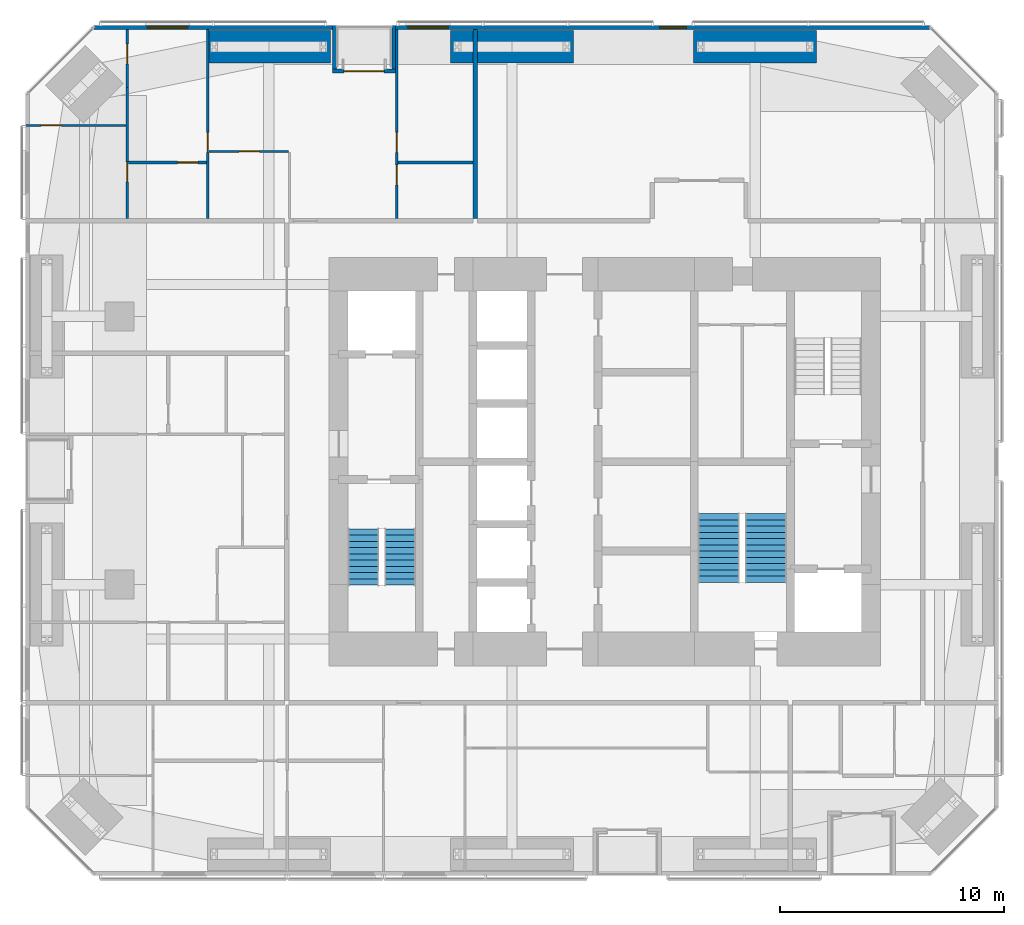
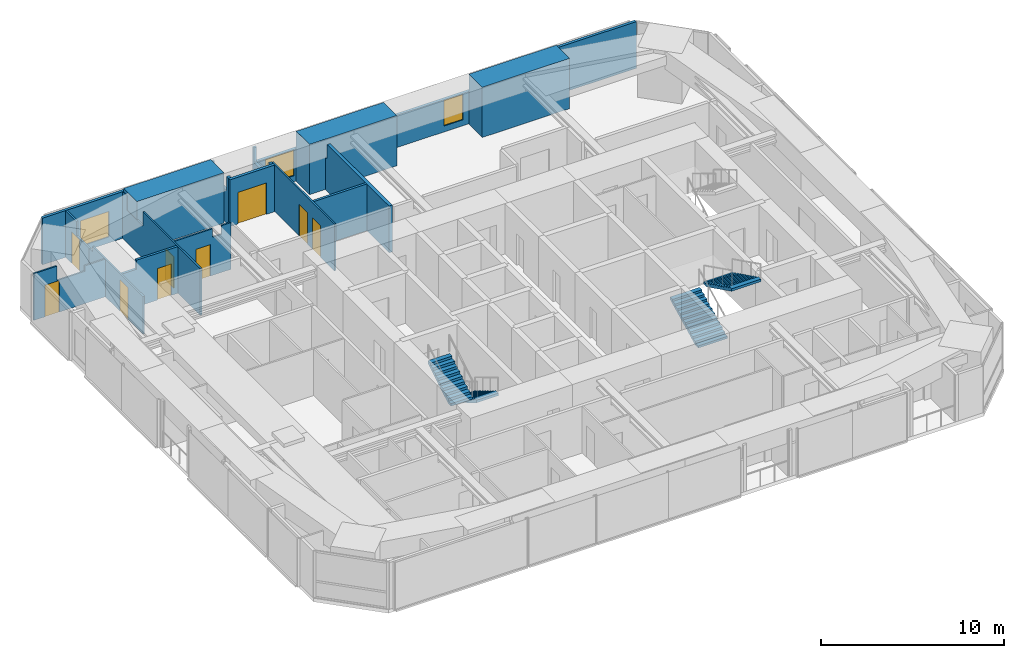
# One storey, part 22 of 24: 17 walls, 9 doors, 4 stair flights, 3 windows, 12 openings, 2 elements without a shape of their own.
"""IFC4 building model written with IfcOpenShell, lengths in metres."""

from ifc_helpers import new_model, si_unit, direction, frame, frame_2d, origin, place, context, subcontext, project, spatial, polyline, rectangle, outline, extrude, material, layer, layer_set, constituent, constituent_set, type_object, element, fill, aggregate, save


model = new_model("IFC4")

# Units and contexts
model_context = context("Model", 3, precision=1e-05, world=origin(), true_north=direction((0.0, 1.0)))
body_context = subcontext(model_context, "Body", "Model", "MODEL_VIEW")
ifc_project = project(units=[si_unit("LENGTHUNIT", "METRE"), si_unit("AREAUNIT", "SQUARE_METRE"), si_unit("VOLUMEUNIT", "CUBIC_METRE"), si_unit("PLANEANGLEUNIT", "RADIAN"), si_unit("MASSUNIT", "GRAM", prefix="KILO")], contexts=[model_context])

# Site, building, storey
site_placement = place(None, origin())
site = spatial("IfcSite", under=ifc_project, at=site_placement, CompositionType="ELEMENT")
building_placement = place(site_placement, origin())
building = spatial("IfcBuilding", under=site, at=building_placement, Name="Jalousie Tower", CompositionType="ELEMENT")
storey_placement = place(building_placement, frame((0.0, 0.0, 135.0)))
storey = spatial("IfcBuildingStorey", under=building, at=storey_placement, Name="L37", CompositionType="ELEMENT", Elevation=135.0)

# Wall, opening, door
ifc_material_1 = material(Name="Concrete block ASTM C90", Category="concrete")
ifc_constituent_1 = constituent(ifc_material_1, Name="Body")
ifc_material_2 = material(Name="Render")
ifc_constituent_2 = constituent(ifc_material_2, Name="Finish")
ifc_constituent_set_1 = constituent_set(constituents=[ifc_constituent_1, ifc_constituent_2])
wall_type_1 = type_object("IfcWallType", Name="BATHROOM WALL 150", PredefinedType="PLUMBINGWALL", material=ifc_constituent_set_1)
wall_1_placement = place(storey_placement, frame((10.60009765625, 31.875, 0.0), z_axis=(0.0, 0.0, 1.0), x_axis=(1.0, 0.0, 0.0)))
wall_1 = element("IfcWall", 1, at=wall_1_placement, inside=storey, type_object=wall_type_1, Name="Bathroom Wall 150 L37", PredefinedType="PLUMBINGWALL", context=body_context, shape_type="SweptSolid", body=[
    extrude(outline(polyline([(0.0, 0.0), (3.5, 0.0), (3.5, 3.110107421875), (0.885009765625, 3.110107421875), (0.885009765625, 2.510009765625), (0.0, 2.510009765625), (0.0, 3.110107421875), (0.0, 0.0)])), frame((0.0, 0.074951171875, 0.0), z_axis=(0.0, -1.0, 0.0), x_axis=(1.0, 0.0, 0.0)), (0.0, 0.0, 1.0), 0.14990234375),
])
opening_1_placement = place(wall_1_placement, frame((2.199951171875, 0.0, 0.0)))
opening_1 = element("IfcOpeningElement", 2, at=opening_1_placement, cuts=wall_1, Name="Opening D3", PredefinedType="OPENING", context=body_context, shape_type="SweptSolid", body=[
    extrude(rectangle(XDim=0.89990234375, YDim=2.10009765625, at=frame_2d((0.449951171875, 1.050048828125))), frame((0.0, 0.0849609375, 0.0), z_axis=(0.0, -1.0, 0.0), x_axis=(1.0, 0.0, 0.0)), (0.0, 0.0, 1.0), 0.169921875),
])
ifc_material_3 = material(Name="Timber door", Category="wood")
door_type_1 = type_object("IfcDoorType", Name="BATHROOM DOOR 900", OperationType="SINGLE_SWING_LEFT", PredefinedType="DOOR", material=ifc_material_3)
door_1_placement = place(opening_1_placement, frame((0.89990234375, 0.0, 0.0), z_axis=(0.0, 0.0, 1.0), x_axis=(-1.0, 0.0, 0.0)))
door_1 = element("IfcDoor", 3, at=door_1_placement, inside=storey, type_object=door_type_1, Name="Apartment 3703 bedroom 2 bathroom door", OperationType="SINGLE_SWING_LEFT", OverallHeight=2.10009765625, OverallWidth=0.89990234375, PredefinedType="DOOR", context=body_context, shape_type="SweptSolid", body=[
    extrude(rectangle(XDim=0.89990234375, YDim=2.10009765625, at=frame_2d((0.449951171875, 1.050048828125))), frame((0.0, 0.02490234375, 0.0), z_axis=(0.0, -1.0, 0.0), x_axis=(1.0, 0.0, 0.0)), (0.0, 0.0, 1.0), 0.050048828125),
])
fill(opening_1, door_1)

# Wall
wall_2_placement = place(storey_placement, frame((22.64990234375, 31.875, 0.0), z_axis=(0.0, 0.0, 1.0), x_axis=(1.0, 0.0, 0.0)))
element("IfcWall", 4, at=wall_2_placement, inside=storey, type_object=wall_type_1, Name="Bathroom Wall 150 L37", PredefinedType="PLUMBINGWALL", context=body_context, shape_type="SweptSolid", body=[
    extrude(rectangle(XDim=3.35009765625, YDim=0.14990234375, at=frame_2d((1.675048828125, 0.0))), origin(), (0.0, 0.0, 1.0), 3.110107421875),
])

# Wall, openings, windows
ifc_material_4 = material(Name="Concrete f'c 40 MPa", Category="concrete")
ifc_constituent_3 = constituent(ifc_material_4, Name="Body")
ifc_material_5 = material(Name="Render, pastel sea green")
ifc_constituent_4 = constituent(ifc_material_5, Name="Finish")
ifc_constituent_set_2 = constituent_set(constituents=[ifc_constituent_3, ifc_constituent_4])
wall_type_2 = type_object("IfcWallType", Name="EXTERNAL WALL 175 SEA GREEN RENDER", PredefinedType="SOLIDWALL", material=ifc_constituent_set_2)
wall_3_placement = place(storey_placement, frame((46.44873046875, 37.91259765625, 0.0), z_axis=(0.0, 0.0, 1.0), x_axis=(-1.0, 0.0, 0.0)))
wall_3 = element("IfcWall", 5, at=wall_3_placement, inside=storey, type_object=wall_type_2, Name="External Wall 175 Sea Green Render L37", PredefinedType="SOLIDWALL", context=body_context, shape_type="SweptSolid", body=[
    extrude(outline(polyline([(0.0, 0.0), (23.898681640625, 0.0), (23.898681640625, 2.14990234375), (7.82373046875, 2.14990234375), (7.82373046875, 3.110107421875), (7.66552734375, 3.110107421875), (7.66552734375, 2.14990234375), (7.620361328125, 2.14990234375), (7.620361328125, 3.110107421875), (0.0, 3.110107421875), (0.0, 0.0)])), frame((0.0, 0.08740234375, 0.0), z_axis=(0.0, -1.0, 0.0), x_axis=(1.0, 0.0, 0.0)), (0.0, 0.0, 1.0), 0.175048828125),
])
opening_2_placement = place(wall_3_placement, frame((10.900390625, 0.0, 0.39990234375)))
opening_2 = element("IfcOpeningElement", 6, at=opening_2_placement, cuts=wall_3, Name="Opening W-COR170", PredefinedType="OPENING", context=body_context, shape_type="SweptSolid", body=[
    extrude(rectangle(XDim=1.199951171875, YDim=1.699951171875, at=frame_2d((0.60009765625, 0.85009765625))), frame((0.0, 0.097412109375, 0.0), z_axis=(0.0, -1.0, 0.0), x_axis=(1.0, 0.0, 0.0)), (0.0, 0.0, 1.0), 0.195068359375),
])
opening_3_placement = place(wall_3_placement, frame((21.55859375, 0.0, 0.39990234375)))
opening_3 = element("IfcOpeningElement", 7, at=opening_3_placement, cuts=wall_3, Name="Opening W-BED170", PredefinedType="OPENING", context=body_context, shape_type="SweptSolid", body=[
    extrude(rectangle(XDim=1.800048828125, YDim=1.699951171875, at=frame_2d((0.89990234375, 0.85009765625))), frame((0.0, 0.097412109375, 0.0), z_axis=(0.0, -1.0, 0.0), x_axis=(1.0, 0.0, 0.0)), (0.0, 0.0, 1.0), 0.195068359375),
])
ifc_material_6 = material(Name="Aluminium frame, impact-rated glazing", Category="aluminium")
window_type_1 = type_object("IfcWindowType", Name="WINDOW BED 1800x1700", PartitioningType="SINGLE_PANEL", PredefinedType="WINDOW", material=ifc_material_6)
window_1_placement = place(opening_3_placement, origin())
window_1 = element("IfcWindow", 8, at=window_1_placement, inside=storey, type_object=window_type_1, Name="Apartment 3703 bedroom 3 window", OverallHeight=1.699951171875, OverallWidth=1.800048828125, PartitioningType="SINGLE_PANEL", PredefinedType="WINDOW", context=body_context, shape_type="SweptSolid", body=[
    extrude(rectangle(XDim=1.800048828125, YDim=1.699951171875, at=frame_2d((0.89990234375, 0.85009765625))), frame((0.0, 0.030029296875, 0.0), z_axis=(0.0, -1.0, 0.0), x_axis=(1.0, 0.0, 0.0)), (0.0, 0.0, 1.0), 0.06005859375),
])
fill(opening_3, window_1)
ifc_material_7 = material(Name="Aluminium frame, impact-rated glazing", Category="aluminium")
window_type_2 = type_object("IfcWindowType", Name="WINDOW COR 1200x1700", PartitioningType="SINGLE_PANEL", PredefinedType="WINDOW", material=ifc_material_7)
window_2_placement = place(opening_2_placement, origin())
window_2 = element("IfcWindow", 9, at=window_2_placement, inside=storey, type_object=window_type_2, Name="Residents' bay-view lounge window", OverallHeight=1.699951171875, OverallWidth=1.199951171875, PartitioningType="SINGLE_PANEL", PredefinedType="WINDOW", context=body_context, shape_type="SweptSolid", body=[
    extrude(rectangle(XDim=1.199951171875, YDim=1.699951171875, at=frame_2d((0.60009765625, 0.85009765625))), frame((0.0, 0.030029296875, 0.0), z_axis=(0.0, -1.0, 0.0), x_axis=(1.0, 0.0, 0.0)), (0.0, 0.0, 1.0), 0.06005859375),
])
fill(opening_2, window_2)

# Wall, opening, window
wall_4_placement = place(storey_placement, frame((19.72509765625, 37.91259765625, 0.0), z_axis=(0.0, 0.0, 1.0), x_axis=(-1.0, 0.0, 0.0)))
wall_4 = element("IfcWall", 10, at=wall_4_placement, inside=storey, type_object=wall_type_2, Name="External Wall 175 Sea Green Render L37", PredefinedType="SOLIDWALL", context=body_context, shape_type="SweptSolid", body=[
    extrude(outline(polyline([(0.0, 0.0), (10.673828125, 0.0), (10.673583984375, 3.110107421875), (3.05322265625, 3.110107421875), (3.05322265625, 2.14990234375), (3.008056640625, 2.14990234375), (3.008056640625, 3.110107421875), (2.85009765625, 3.110107421875), (2.85009765625, 2.14990234375), (0.0, 2.14990234375), (0.0, 0.0)])), frame((0.0, 0.08740234375, 0.0), z_axis=(0.0, -1.0, 0.0), x_axis=(1.0, 0.0, 0.0)), (0.0, 0.0, 1.0), 0.175048828125),
])
opening_4_placement = place(wall_4_placement, frame((6.47509765625, 0.0, 0.39990234375)))
opening_4 = element("IfcOpeningElement", 11, at=opening_4_placement, cuts=wall_4, Name="Opening W-BED170", PredefinedType="OPENING", context=body_context, shape_type="SweptSolid", body=[
    extrude(rectangle(XDim=1.800048828125, YDim=1.699951171875, at=frame_2d((0.89990234375, 0.85009765625))), frame((0.0, 0.097412109375, 0.0), z_axis=(0.0, -1.0, 0.0), x_axis=(1.0, 0.0, 0.0)), (0.0, 0.0, 1.0), 0.195068359375),
])
window_3_placement = place(opening_4_placement, origin())
window_3 = element("IfcWindow", 12, at=window_3_placement, inside=storey, type_object=window_type_1, Name="Apartment 3703 bedroom 2 window", OverallHeight=1.699951171875, OverallWidth=1.800048828125, PartitioningType="SINGLE_PANEL", PredefinedType="WINDOW", context=body_context, shape_type="SweptSolid", body=[
    extrude(rectangle(XDim=1.800048828125, YDim=1.699951171875, at=frame_2d((0.89990234375, 0.85009765625))), frame((0.0, 0.030029296875, 0.0), z_axis=(0.0, -1.0, 0.0), x_axis=(1.0, 0.0, 0.0)), (0.0, 0.0, 1.0), 0.06005859375),
])
fill(opening_4, window_3)

# Wall, opening, door
wall_5_placement = place(storey_placement, frame((22.550048828125, 35.96240234375, 0.0), z_axis=(0.0, 0.0, 1.0), x_axis=(-1.0, 0.0, 0.0)))
wall_5 = element("IfcWall", 13, at=wall_5_placement, inside=storey, type_object=wall_type_2, Name="External Wall 175 Sea Green Render L37", PredefinedType="SOLIDWALL", context=body_context, shape_type="SweptSolid", body=[
    extrude(rectangle(XDim=2.824951171875, YDim=0.175048828125, at=frame_2d((1.41259765625, 0.0))), origin(), (0.0, 0.0, 1.0), 3.110107421875),
])
opening_5_placement = place(wall_5_placement, frame((0.512451171875, 0.0, 0.0)))
opening_5 = element("IfcOpeningElement", 14, at=opening_5_placement, cuts=wall_5, Name="Opening D-BAL21", PredefinedType="OPENING", context=body_context, shape_type="SweptSolid", body=[
    extrude(rectangle(XDim=1.800048828125, YDim=2.10009765625, at=frame_2d((0.89990234375, 1.050048828125))), frame((0.0, 0.097412109375, 0.0), z_axis=(0.0, -1.0, 0.0), x_axis=(1.0, 0.0, 0.0)), (0.0, 0.0, 1.0), 0.195068359375),
])
ifc_material_8 = material(Name="Aluminium frame, impact-rated glazing", Category="aluminium")
door_type_2 = type_object("IfcDoorType", Name="BALCONY DOOR 1800x2100", OperationType="SLIDING_TO_LEFT", PredefinedType="DOOR", material=ifc_material_8)
door_2_placement = place(opening_5_placement, origin())
door_2 = element("IfcDoor", 15, at=door_2_placement, inside=storey, type_object=door_type_2, Name="Apartment 3703 living and dining room loggia door", OperationType="SLIDING_TO_LEFT", OverallHeight=2.10009765625, OverallWidth=1.800048828125, PredefinedType="DOOR", context=body_context, shape_type="SweptSolid", body=[
    extrude(rectangle(XDim=1.800048828125, YDim=2.10009765625, at=frame_2d((0.89990234375, 1.050048828125))), frame((0.0, 0.02490234375, 0.0), z_axis=(0.0, -1.0, 0.0), x_axis=(1.0, 0.0, 0.0)), (0.0, 0.0, 1.0), 0.050048828125),
])
fill(opening_5, door_2)

# Walls
for number, where, z_axis, x_axis, name in (
    (16, (22.46240234375, 38.0, 0.0), (0.0, 0.0, 1.0), (0.0, -1.0, 0.0), "External Wall 175 Sea Green Render L37"),
    (17, (19.8125, 38.0, 0.0), (0.0, 0.0, 1.0), (0.0, -1.0, 0.0), "External Wall 175 Sea Green Render L37"),
):
    element("IfcWall", number, at=place(storey_placement, frame(where, z_axis=z_axis, x_axis=x_axis)), inside=storey, type_object=wall_type_2, Name=name, PredefinedType="SOLIDWALL", context=body_context, shape_type="SweptSolid", body=[
        extrude(outline(polyline([(0.0, 0.0), (1.949951171875, 0.0), (1.949951171875, 3.110107421875), (1.75, 3.110107421875), (1.75, 2.14990234375), (0.14990234375, 2.14990234375), (0.14990234375, 3.110107421875), (0.0, 3.110107421875), (0.0, 0.0)])), frame((0.0, 0.08740234375, 0.0), z_axis=(0.0, -1.0, 0.0), x_axis=(1.0, 0.0, 0.0)), (0.0, 0.0, 1.0), 0.175048828125),
    ])

# Wall, opening, door
ifc_material_9 = material(Name="Gypsum board", Category="gypsum")
ifc_constituent_5 = constituent(ifc_material_9, Name="Body")
ifc_material_10 = material(Name="Light-gauge steel studs ASTM A653 SS Grade 33", Category="steel")
ifc_constituent_6 = constituent(ifc_material_10, Name="Framing")
ifc_constituent_set_3 = constituent_set(constituents=[ifc_constituent_5, ifc_constituent_6])
wall_type_3 = type_object("IfcWallType", Name="PARTITION 100", PredefinedType="PARTITIONING", material=ifc_constituent_set_3)
wall_6_placement = place(storey_placement, frame((10.550048828125, 37.824951171875, 0.0), z_axis=(0.0, 0.0, 1.0), x_axis=(0.0, -1.0, 0.0)))
wall_6 = element("IfcWall", 18, at=wall_6_placement, inside=storey, type_object=wall_type_3, Name="Partition 100 L37-A", PredefinedType="PARTITIONING", context=body_context, shape_type="SweptSolid", body=[
    extrude(outline(polyline([(0.0, 0.0), (2.5849609375, 0.0), (2.5849609375, 2.14990234375), (1.1875, 2.14990234375), (1.1875, 3.110107421875), (0.0, 3.110107421875), (0.0, 0.0)])), frame((0.0, 0.050048828125, 0.0), z_axis=(0.0, -1.0, 0.0), x_axis=(1.0, 0.0, 0.0)), (0.0, 0.0, 1.0), 0.10009765625),
])
opening_6_placement = place(wall_6_placement, frame((0.638916015625, 0.0, 0.0)))
opening_6 = element("IfcOpeningElement", 19, at=opening_6_placement, cuts=wall_6, Name="Opening D2", PredefinedType="OPENING", context=body_context, shape_type="SweptSolid", body=[
    extrude(rectangle(XDim=0.89990234375, YDim=2.10009765625, at=frame_2d((0.449951171875, 1.050048828125))), frame((0.0, 0.06005859375, 0.0), z_axis=(0.0, -1.0, 0.0), x_axis=(1.0, 0.0, 0.0)), (0.0, 0.0, 1.0), 0.1201171875),
])
ifc_material_11 = material(Name="Timber door", Category="wood")
door_type_3 = type_object("IfcDoorType", Name="BEDROOM DOOR 900", OperationType="SINGLE_SWING_LEFT", PredefinedType="DOOR", material=ifc_material_11)
door_3_placement = place(opening_6_placement, origin())
door_3 = element("IfcDoor", 20, at=door_3_placement, inside=storey, type_object=door_type_3, Name="Apartment 3703 bedroom 1 door", OperationType="SINGLE_SWING_LEFT", OverallHeight=2.10009765625, OverallWidth=0.89990234375, PredefinedType="DOOR", context=body_context, shape_type="SweptSolid", body=[
    extrude(rectangle(XDim=0.89990234375, YDim=2.10009765625, at=frame_2d((0.449951171875, 1.050048828125))), frame((0.0, 0.02490234375, 0.0), z_axis=(0.0, -1.0, 0.0), x_axis=(1.0, 0.0, 0.0)), (0.0, 0.0, 1.0), 0.050048828125),
])
fill(opening_6, door_3)

wall_7_placement = place(storey_placement, frame((10.550048828125, 35.239990234375, 0.0), z_axis=(0.0, 0.0, 1.0), x_axis=(0.0, -1.0, 0.0)))
wall_7 = element("IfcWall", 21, at=wall_7_placement, inside=storey, type_object=wall_type_3, Name="Partition 100 L37-B", PredefinedType="PARTITIONING", context=body_context, shape_type="SweptSolid", body=[
    extrude(outline(polyline([(0.0, 0.0), (5.864990234375, 0.0), (5.864990234375, 2.510009765625), (0.35791015625, 2.510009765625), (0.35791015625, 2.14990234375), (0.0, 2.14990234375), (0.0, 0.0)])), frame((0.0, 0.050048828125, 0.0), z_axis=(0.0, -1.0, 0.0), x_axis=(1.0, 0.0, 0.0)), (0.0, 0.0, 1.0), 0.10009765625),
])
opening_7_placement = place(wall_7_placement, frame((3.33447265625, 0.0, 0.0)))
opening_7 = element("IfcOpeningElement", 22, at=opening_7_placement, cuts=wall_7, Name="Opening D3", PredefinedType="OPENING", context=body_context, shape_type="SweptSolid", body=[
    extrude(rectangle(XDim=0.89990234375, YDim=2.10009765625, at=frame_2d((0.449951171875, 1.050048828125))), frame((0.0, 0.06005859375, 0.0), z_axis=(0.0, -1.0, 0.0), x_axis=(1.0, 0.0, 0.0)), (0.0, 0.0, 1.0), 0.1201171875),
])
door_4_placement = place(opening_7_placement, origin())
door_4 = element("IfcDoor", 23, at=door_4_placement, inside=storey, type_object=door_type_1, Name="Apartment 3703 bedroom 1 bathroom door", OperationType="SINGLE_SWING_RIGHT", OverallHeight=2.10009765625, OverallWidth=0.89990234375, PredefinedType="DOOR", context=body_context, shape_type="SweptSolid", body=[
    extrude(rectangle(XDim=0.89990234375, YDim=2.10009765625, at=frame_2d((0.449951171875, 1.050048828125))), frame((0.0, 0.02490234375, 0.0), z_axis=(0.0, -1.0, 0.0), x_axis=(1.0, 0.0, 0.0)), (0.0, 0.0, 1.0), 0.050048828125),
])
fill(opening_7, door_4)

wall_8_placement = place(storey_placement, frame((14.14990234375, 37.824951171875, 0.0), z_axis=(0.0, 0.0, 1.0), x_axis=(0.0, -1.0, 0.0)))
wall_8 = element("IfcWall", 24, at=wall_8_placement, inside=storey, type_object=wall_type_3, Name="Partition 100 L37", PredefinedType="PARTITIONING", context=body_context, shape_type="SweptSolid", body=[
    extrude(outline(polyline([(0.0, 0.0), (8.449951171875, 0.0), (8.449951171875, 3.110107421875), (2.20849609375, 3.110107421875), (2.20849609375, 2.14990234375), (0.453125, 2.14990234375), (0.453125, 3.110107421875), (0.0, 3.110107421875), (0.0, 0.0)])), frame((0.0, 0.050048828125, 0.0), z_axis=(0.0, -1.0, 0.0), x_axis=(1.0, 0.0, 0.0)), (0.0, 0.0, 1.0), 0.10009765625),
])
opening_8_placement = place(wall_8_placement, frame((4.60009765625, 0.0, 0.0)))
opening_8 = element("IfcOpeningElement", 25, at=opening_8_placement, cuts=wall_8, Name="Opening D2", PredefinedType="OPENING", context=body_context, shape_type="SweptSolid", body=[
    extrude(rectangle(XDim=0.89990234375, YDim=2.10009765625, at=frame_2d((0.449951171875, 1.050048828125))), frame((0.0, 0.06005859375, 0.0), z_axis=(0.0, -1.0, 0.0), x_axis=(1.0, 0.0, 0.0)), (0.0, 0.0, 1.0), 0.1201171875),
])
door_5_placement = place(opening_8_placement, frame((0.89990234375, 0.0, 0.0), z_axis=(0.0, 0.0, 1.0), x_axis=(-1.0, 0.0, 0.0)))
door_5 = element("IfcDoor", 26, at=door_5_placement, inside=storey, type_object=door_type_3, Name="Apartment 3703 bedroom 2 door", OperationType="SINGLE_SWING_LEFT", OverallHeight=2.10009765625, OverallWidth=0.89990234375, PredefinedType="DOOR", context=body_context, shape_type="SweptSolid", body=[
    extrude(rectangle(XDim=0.89990234375, YDim=2.10009765625, at=frame_2d((0.449951171875, 1.050048828125))), frame((0.0, 0.02490234375, 0.0), z_axis=(0.0, -1.0, 0.0), x_axis=(1.0, 0.0, 0.0)), (0.0, 0.0, 1.0), 0.050048828125),
])
fill(opening_8, door_5)

# Wall, openings, doors
wall_9_placement = place(storey_placement, frame((22.60009765625, 37.824951171875, 0.0), z_axis=(0.0, 0.0, 1.0), x_axis=(0.0, -1.0, 0.0)))
wall_9 = element("IfcWall", 27, at=wall_9_placement, inside=storey, type_object=wall_type_3, Name="Partition 100 L37", PredefinedType="PARTITIONING", context=body_context, shape_type="SweptSolid", body=[
    extrude(outline(polyline([(0.0, 0.0), (8.449951171875, 0.0), (8.449951171875, 3.110107421875), (1.635009765625, 3.110107421875), (1.635009765625, 2.14990234375), (0.0, 2.14990234375), (0.0, 3.110107421875), (0.0, 0.0)])), frame((0.0, 0.050048828125, 0.0), z_axis=(0.0, -1.0, 0.0), x_axis=(1.0, 0.0, 0.0)), (0.0, 0.0, 1.0), 0.10009765625),
])
opening_9_placement = place(wall_9_placement, frame((4.60009765625, 0.0, 0.0)))
opening_9 = element("IfcOpeningElement", 28, at=opening_9_placement, cuts=wall_9, Name="Opening D2", PredefinedType="OPENING", context=body_context, shape_type="SweptSolid", body=[
    extrude(rectangle(XDim=0.89990234375, YDim=2.10009765625, at=frame_2d((0.449951171875, 1.050048828125))), frame((0.0, 0.06005859375, 0.0), z_axis=(0.0, -1.0, 0.0), x_axis=(1.0, 0.0, 0.0)), (0.0, 0.0, 1.0), 0.1201171875),
])
opening_10_placement = place(wall_9_placement, frame((6.050048828125, 0.0, 0.0)))
opening_10 = element("IfcOpeningElement", 29, at=opening_10_placement, cuts=wall_9, Name="Opening D7", PredefinedType="OPENING", context=body_context, shape_type="SweptSolid", body=[
    extrude(rectangle(XDim=0.89990234375, YDim=2.10009765625, at=frame_2d((0.449951171875, 1.050048828125))), frame((0.0, 0.06005859375, 0.0), z_axis=(0.0, -1.0, 0.0), x_axis=(1.0, 0.0, 0.0)), (0.0, 0.0, 1.0), 0.1201171875),
])
door_6_placement = place(opening_9_placement, origin())
door_6 = element("IfcDoor", 30, at=door_6_placement, inside=storey, type_object=door_type_3, Name="Apartment 3703 bedroom 3 door", OperationType="SINGLE_SWING_RIGHT", OverallHeight=2.10009765625, OverallWidth=0.89990234375, PredefinedType="DOOR", context=body_context, shape_type="SweptSolid", body=[
    extrude(rectangle(XDim=0.89990234375, YDim=2.10009765625, at=frame_2d((0.449951171875, 1.050048828125))), frame((0.0, 0.02490234375, 0.0), z_axis=(0.0, -1.0, 0.0), x_axis=(1.0, 0.0, 0.0)), (0.0, 0.0, 1.0), 0.050048828125),
])
fill(opening_9, door_6)
ifc_material_12 = material(Name="Timber door", Category="wood")
door_type_4 = type_object("IfcDoorType", Name="INTERNAL DOOR 900", OperationType="SINGLE_SWING_LEFT", PredefinedType="DOOR", material=ifc_material_12)
door_7_placement = place(opening_10_placement, origin())
door_7 = element("IfcDoor", 31, at=door_7_placement, inside=storey, type_object=door_type_4, Name="Apartment 3703 bathroom door", OperationType="SINGLE_SWING_LEFT", OverallHeight=2.10009765625, OverallWidth=0.89990234375, PredefinedType="DOOR", context=body_context, shape_type="SweptSolid", body=[
    extrude(rectangle(XDim=0.89990234375, YDim=2.10009765625, at=frame_2d((0.449951171875, 1.050048828125))), frame((0.0, 0.02490234375, 0.0), z_axis=(0.0, -1.0, 0.0), x_axis=(1.0, 0.0, 0.0)), (0.0, 0.0, 1.0), 0.050048828125),
])
fill(opening_10, door_7)

# Wall, opening, door
wall_10_placement = place(storey_placement, frame((6.0, 33.5361328125, 0.0), z_axis=(0.0, 0.0, 1.0), x_axis=(1.0, 0.0, 0.0)))
wall_10 = element("IfcWall", 32, at=wall_10_placement, inside=storey, type_object=wall_type_3, Name="Partition 100 L37", PredefinedType="PARTITIONING", context=body_context, shape_type="SweptSolid", body=[
    extrude(outline(polyline([(0.0, 0.0), (4.5, 0.0), (4.5, 3.110107421875), (4.5, 2.510009765625), (3.20556640625, 2.510009765625), (3.20556640625, 2.14990234375), (1.462890625, 2.14990234375), (1.462890625, 3.110107421875), (0.0, 3.110107421875), (0.0, 0.0)])), frame((0.0, 0.050048828125, 0.0), z_axis=(0.0, -1.0, 0.0), x_axis=(1.0, 0.0, 0.0)), (0.0, 0.0, 1.0), 0.10009765625),
])
opening_11_placement = place(wall_10_placement, frame((0.699951171875, 0.0, 0.0)))
opening_11 = element("IfcOpeningElement", 33, at=opening_11_placement, cuts=wall_10, Name="Opening D7", PredefinedType="OPENING", context=body_context, shape_type="SweptSolid", body=[
    extrude(rectangle(XDim=0.89990234375, YDim=2.10009765625, at=frame_2d((0.449951171875, 1.050048828125))), frame((0.0, 0.06005859375, 0.0), z_axis=(0.0, -1.0, 0.0), x_axis=(1.0, 0.0, 0.0)), (0.0, 0.0, 1.0), 0.1201171875),
])
door_8_placement = place(opening_11_placement, frame((0.89990234375, 0.0, 0.0), z_axis=(0.0, 0.0, 1.0), x_axis=(-1.0, 0.0, 0.0)))
door_8 = element("IfcDoor", 34, at=door_8_placement, inside=storey, type_object=door_type_4, Name="Apartment 3703 bedroom 1 dressing hall door", OperationType="SINGLE_SWING_RIGHT", OverallHeight=2.10009765625, OverallWidth=0.89990234375, PredefinedType="DOOR", context=body_context, shape_type="SweptSolid", body=[
    extrude(rectangle(XDim=0.89990234375, YDim=2.10009765625, at=frame_2d((0.449951171875, 1.050048828125))), frame((0.0, 0.02490234375, 0.0), z_axis=(0.0, -1.0, 0.0), x_axis=(1.0, 0.0, 0.0)), (0.0, 0.0, 1.0), 0.050048828125),
])
fill(opening_11, door_8)

wall_11_placement = place(storey_placement, frame((14.199951171875, 32.375, 0.0), z_axis=(0.0, 0.0, 1.0), x_axis=(1.0, 0.0, 0.0)))
wall_11 = element("IfcWall", 35, at=wall_11_placement, inside=storey, type_object=wall_type_3, Name="Partition 100 L37", PredefinedType="PARTITIONING", context=body_context, shape_type="SweptSolid", body=[
    extrude(outline(polyline([(0.0, 0.0), (3.550048828125, 0.0), (3.550048828125, 3.110107421875), (2.96240234375, 3.110107421875), (2.96240234375, 2.541015625), (2.3876953125, 2.541015625), (2.3876953125, 3.110107421875), (0.0, 3.110107421875), (0.0, 0.0)])), frame((0.0, 0.050048828125, 0.0), z_axis=(0.0, -1.0, 0.0), x_axis=(1.0, 0.0, 0.0)), (0.0, 0.0, 1.0), 0.10009765625),
])
opening_12_placement = place(wall_11_placement, frame((1.35009765625, 0.0, 0.0)))
opening_12 = element("IfcOpeningElement", 36, at=opening_12_placement, cuts=wall_11, Name="Opening D7", PredefinedType="OPENING", context=body_context, shape_type="SweptSolid", body=[
    extrude(rectangle(XDim=0.89990234375, YDim=2.10009765625, at=frame_2d((0.449951171875, 1.050048828125))), frame((0.0, 0.06005859375, 0.0), z_axis=(0.0, -1.0, 0.0), x_axis=(1.0, 0.0, 0.0)), (0.0, 0.0, 1.0), 0.1201171875),
])
door_9_placement = place(opening_12_placement, origin())
door_9 = element("IfcDoor", 37, at=door_9_placement, inside=storey, type_object=door_type_4, Name="Apartment 3703 kitchen door", OperationType="SINGLE_SWING_LEFT", OverallHeight=2.10009765625, OverallWidth=0.89990234375, PredefinedType="DOOR", context=body_context, shape_type="SweptSolid", body=[
    extrude(rectangle(XDim=0.89990234375, YDim=2.10009765625, at=frame_2d((0.449951171875, 1.050048828125))), frame((0.0, 0.02490234375, 0.0), z_axis=(0.0, -1.0, 0.0), x_axis=(1.0, 0.0, 0.0)), (0.0, 0.0, 1.0), 0.050048828125),
])
fill(opening_12, door_9)

# Walls
ifc_material_13 = material(Name="Concrete block ASTM C90", Category="concrete")
ifc_constituent_7 = constituent(ifc_material_13, Name="Body")
ifc_material_14 = material(Name="Render")
ifc_constituent_8 = constituent(ifc_material_14, Name="Finish")
ifc_constituent_set_4 = constituent_set(constituents=[ifc_constituent_7, ifc_constituent_8])
wall_type_4 = type_object("IfcWallType", Name="PARTY WALL 200", PredefinedType="PARTITIONING", material=ifc_constituent_set_4)
wall_12_placement = place(storey_placement, frame((26.10009765625, 37.824951171875, 0.0), z_axis=(0.0, 0.0, 1.0), x_axis=(0.0, -1.0, 0.0)))
element("IfcWall", 38, at=wall_12_placement, inside=storey, type_object=wall_type_4, Name="Party Wall 200 L37", PredefinedType="PARTITIONING", context=body_context, shape_type="SweptSolid", body=[
    extrude(outline(polyline([(0.52880859375, 2.14990234375), (0.0, 2.14990234375), (0.0, 0.0), (0.52880859375, 0.0), (0.52880859375, 0.376220703125), (1.021240234375, 0.376220703125), (1.021240234375, 0.0), (8.449951171875, 0.0), (8.449951171875, 3.110107421875), (1.68505859375, 3.110107421875), (1.68505859375, 2.14990234375), (1.021240234375, 2.14990234375), (1.021240234375, 1.77392578125), (0.52880859375, 1.77392578125), (0.52880859375, 2.14990234375)])), frame((0.0, 0.10009765625, 0.0), z_axis=(0.0, -1.0, 0.0), x_axis=(1.0, 0.0, 0.0)), (0.0, 0.0, 1.0), 0.199951171875),
])
ifc_material_15 = material(Name="Concrete f'c 120 MPa", Category="concrete")
ifc_layer = layer(ifc_material_15, 1.449951171875)
ifc_layer_set = layer_set([ifc_layer], Name="Concrete f'c 120 MPa")
wall_type_5 = type_object("IfcWallType", Name="RC WALL PIER 1450", PredefinedType="SHEAR", material=ifc_layer_set)
for number, where, z_axis, x_axis, name in (
    (39, (35.875, 37.050048828125, 0.0), (0.0, 0.0, 1.0), (1.0, 0.0, 0.0), "Wall pier 09 L37"),
    (40, (25.0, 37.050048828125, 0.0), (0.0, 0.0, 1.0), (1.0, 0.0, 0.0), "Wall pier 10 L37"),
    (41, (14.125, 37.050048828125, 0.0), (0.0, 0.0, 1.0), (1.0, 0.0, 0.0), "Wall pier 11 L37"),
):
    element("IfcWall", number, at=place(storey_placement, frame(where, z_axis=z_axis, x_axis=x_axis)), inside=storey, type_object=wall_type_5, Name=name, PredefinedType="SHEAR", context=body_context, shape_type="SweptSolid", body=[
        extrude(rectangle(XDim=5.5, YDim=1.449951171875, at=frame_2d((2.75, 0.0))), origin(), (0.0, 0.0, 1.0), 3.35009765625),
    ])

# Stair, stair flights
ifc_material_16 = material(Name="Concrete f'c 40 MPa", Category="concrete")
stair_type = type_object("IfcStairType", Name="EXIT STAIR", PredefinedType="HALF_TURN_STAIR", material=ifc_material_16)
stair_1_placement = place(storey_placement, origin())
stair_1 = element("IfcStair", 42, at=stair_1_placement, inside=storey, type_object=stair_type, Name="Exit stair A L37", PredefinedType="HALF_TURN_STAIR")
ifc_material_17 = material(Name="Concrete f'c 40 MPa", Category="concrete")
stair_flight_type = type_object("IfcStairFlightType", Name="STAIR FLIGHT", PredefinedType="STRAIGHT", material=ifc_material_17)
stair_flight_1_placement = place(storey_placement, frame((22.737548828125, 15.49755859375, 0.0), z_axis=(0.0, 0.0, 1.0), x_axis=(0.0, -1.0, 0.0)))
stair_flight_1 = element("IfcStairFlight", 43, at=stair_flight_1_placement, type_object=stair_flight_type, Name="ST-A flight 1", NumberOfRisers=10, NumberOfTreads=9, PredefinedType="STRAIGHT", RiserHeight=0.1675, TreadLength=0.28, context=body_context, shape_type="SweptSolid", body=[
    extrude(outline(polyline([(0.0, 0.0), (0.0, 0.16748046875), (0.280029296875, 0.16748046875), (0.280029296875, 0.3349609375), (0.56005859375, 0.3349609375), (0.56005859375, 0.50244140625), (0.840087890625, 0.50244140625), (0.840087890625, 0.669921875), (1.1201171875, 0.669921875), (1.1201171875, 0.83740234375), (1.39990234375, 0.83740234375), (1.39990234375, 1.0048828125), (1.679931640625, 1.0048828125), (1.679931640625, 1.172607421875), (1.9599609375, 1.172607421875), (1.9599609375, 1.340087890625), (2.239990234375, 1.340087890625), (2.239990234375, 1.507568359375), (2.52001953125, 1.507568359375), (2.52001953125, 1.675048828125), (2.52001953125, 1.332763671875), (0.2919921875, 0.0), (0.0, 0.0)])), frame((0.0, 0.6875, 0.0), z_axis=(0.0, -1.0, 0.0), x_axis=(1.0, 0.0, 0.0)), (0.0, 0.0, 1.0), 1.375),
])
stair_flight_2_placement = place(storey_placement, frame((21.112548828125, 12.9775390625, 1.675048828125), z_axis=(0.0, 0.0, 1.0), x_axis=(0.0, 1.0, 0.0)))
stair_flight_2 = element("IfcStairFlight", 44, at=stair_flight_2_placement, type_object=stair_flight_type, Name="ST-A flight 2", NumberOfRisers=10, NumberOfTreads=9, PredefinedType="STRAIGHT", RiserHeight=0.1675, TreadLength=0.28, context=body_context, shape_type="SweptSolid", body=[
    extrude(outline(polyline([(0.0, 0.0), (0.0, 0.16748046875), (0.280029296875, 0.16748046875), (0.280029296875, 0.3349609375), (0.56005859375, 0.3349609375), (0.56005859375, 0.50244140625), (0.840087890625, 0.50244140625), (0.840087890625, 0.669921875), (1.1201171875, 0.669921875), (1.1201171875, 0.83740234375), (1.39990234375, 0.83740234375), (1.39990234375, 1.0048828125), (1.679931640625, 1.0048828125), (1.679931640625, 1.172607421875), (1.9599609375, 1.172607421875), (1.9599609375, 1.340087890625), (2.239990234375, 1.340087890625), (2.239990234375, 1.507568359375), (2.52001953125, 1.507568359375), (2.52001953125, 1.675048828125), (2.52001953125, 1.332763671875), (0.2919921875, 0.0), (0.0, 0.0)])), frame((0.0, 0.6875, 0.0), z_axis=(0.0, -1.0, 0.0), x_axis=(1.0, 0.0, 0.0)), (0.0, 0.0, 1.0), 1.375),
])
aggregate(stair_1, [stair_flight_1, stair_flight_2])

stair_2_placement = place(storey_placement, origin())
stair_2 = element("IfcStair", 45, at=stair_2_placement, inside=storey, type_object=stair_type, Name="Exit stair C L37", PredefinedType="HALF_TURN_STAIR")
stair_flight_3_placement = place(storey_placement, frame((37.0, 13.097412109375, 0.0), z_axis=(0.0, 0.0, 1.0), x_axis=(0.0, 1.0, 0.0)))
stair_flight_3 = element("IfcStairFlight", 46, at=stair_flight_3_placement, type_object=stair_flight_type, Name="ST-C flight 1", NumberOfRisers=12, NumberOfTreads=11, PredefinedType="STRAIGHT", RiserHeight=0.139583333, TreadLength=0.28, context=body_context, shape_type="SweptSolid", body=[
    extrude(outline(polyline([(0.0, 0.0), (0.0, 0.1396484375), (0.280029296875, 0.1396484375), (0.280029296875, 0.279052734375), (0.56005859375, 0.279052734375), (0.56005859375, 0.418701171875), (0.840087890625, 0.418701171875), (0.840087890625, 0.558349609375), (1.1201171875, 0.558349609375), (1.1201171875, 0.697998046875), (1.39990234375, 0.697998046875), (1.39990234375, 0.83740234375), (1.679931640625, 0.83740234375), (1.679931640625, 0.97705078125), (1.9599609375, 0.97705078125), (1.9599609375, 1.11669921875), (2.239990234375, 1.11669921875), (2.239990234375, 1.25634765625), (2.52001953125, 1.25634765625), (2.52001953125, 1.395751953125), (2.800048828125, 1.395751953125), (2.800048828125, 1.535400390625), (3.080078125, 1.535400390625), (3.080078125, 1.675048828125), (3.080078125, 1.367919921875), (0.3359375, 0.0), (0.0, 0.0)])), frame((0.0, 0.925048828125, 0.0), z_axis=(0.0, -1.0, 0.0), x_axis=(1.0, 0.0, 0.0)), (0.0, 0.0, 1.0), 1.85009765625),
])
stair_flight_4_placement = place(storey_placement, frame((39.10009765625, 16.177490234375, 1.675048828125), z_axis=(0.0, 0.0, 1.0), x_axis=(0.0, -1.0, 0.0)))
stair_flight_4 = element("IfcStairFlight", 47, at=stair_flight_4_placement, type_object=stair_flight_type, Name="ST-C flight 2", NumberOfRisers=12, NumberOfTreads=11, PredefinedType="STRAIGHT", RiserHeight=0.139583333, TreadLength=0.28, context=body_context, shape_type="SweptSolid", body=[
    extrude(outline(polyline([(0.0, 0.0), (0.0, 0.1396484375), (0.280029296875, 0.1396484375), (0.280029296875, 0.279052734375), (0.56005859375, 0.279052734375), (0.56005859375, 0.418701171875), (0.840087890625, 0.418701171875), (0.840087890625, 0.558349609375), (1.1201171875, 0.558349609375), (1.1201171875, 0.697998046875), (1.39990234375, 0.697998046875), (1.39990234375, 0.83740234375), (1.679931640625, 0.83740234375), (1.679931640625, 0.97705078125), (1.9599609375, 0.97705078125), (1.9599609375, 1.11669921875), (2.239990234375, 1.11669921875), (2.239990234375, 1.25634765625), (2.52001953125, 1.25634765625), (2.52001953125, 1.395751953125), (2.800048828125, 1.395751953125), (2.800048828125, 1.535400390625), (3.080078125, 1.535400390625), (3.080078125, 1.675048828125), (3.080078125, 1.367919921875), (0.3359375, 0.0), (0.0, 0.0)])), frame((0.0, 0.925048828125, 0.0), z_axis=(0.0, -1.0, 0.0), x_axis=(1.0, 0.0, 0.0)), (0.0, 0.0, 1.0), 1.85009765625),
])
aggregate(stair_2, [stair_flight_3, stair_flight_4])

save(model, "model.ifc")
